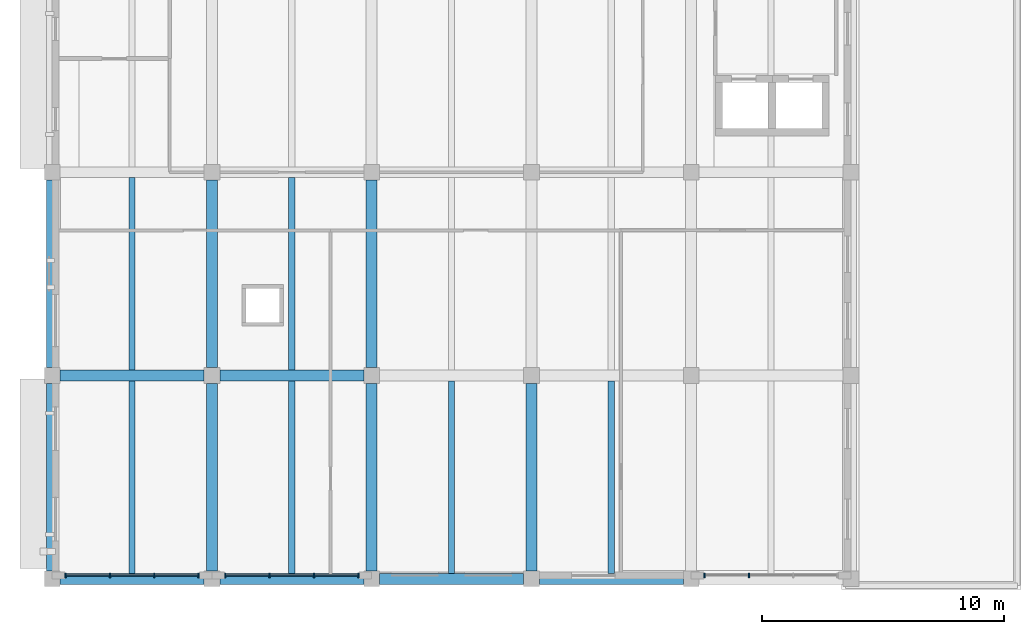
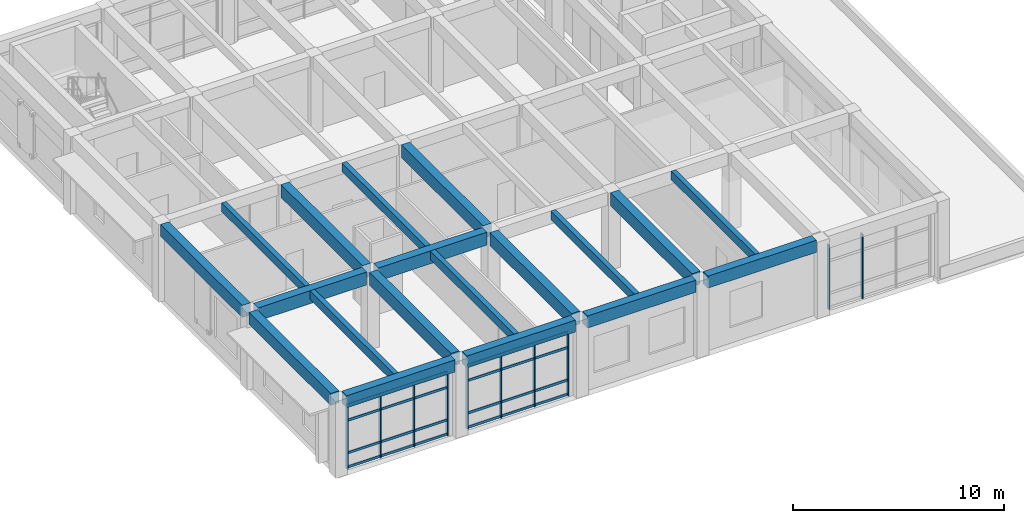
# One storey, part 2 of 50: 19 beams, 18 members, 3 elements without a shape of their own.
"""IFC4 building model written with IfcOpenShell, lengths in metres."""

from ifc_helpers import new_model, si_unit, direction, frame, origin, origin_2d, place, context, subcontext, project, spatial, rectangle, extrude, material, layer, layer_set, material_profile, profile_set, type_object, element, aggregate, save


model = new_model("IFC4")

# Units and contexts
model_context = context("Model", 3, precision=1e-05, world=origin(), true_north=direction((0.0, 1.0)))
body_context = subcontext(model_context, "Body", "Model", "MODEL_VIEW")
ifc_project = project(units=[si_unit("LENGTHUNIT", "METRE"), si_unit("AREAUNIT", "SQUARE_METRE"), si_unit("VOLUMEUNIT", "CUBIC_METRE"), si_unit("PLANEANGLEUNIT", "RADIAN"), si_unit("MASSUNIT", "GRAM", prefix="KILO")], contexts=[model_context])

# Site, building, storey
site_placement = place(None, origin())
site = spatial("IfcSite", under=ifc_project, at=site_placement, CompositionType="ELEMENT")
building_placement = place(site_placement, origin())
building = spatial("IfcBuilding", under=site, at=building_placement, Name="Kolvaren Faculty of Natural Sciences", CompositionType="ELEMENT")
storey_placement = place(building_placement, frame((0.0, 0.0, 15.0)))
storey = spatial("IfcBuildingStorey", under=building, at=storey_placement, Name="L03", CompositionType="ELEMENT", Elevation=15.0)

# Curtain wall, members
ifc_material_1 = material(Name="Thermally broken anodised aluminium framing", Category="aluminium")
ifc_layer = layer(ifc_material_1, 0.179931640625)
ifc_layer_set = layer_set([ifc_layer], Name="Thermally broken anodised aluminium framing")
curtain_wall_type = type_object("IfcCurtainWallType", Name="CommonsCurtainWall_CW02", PredefinedType="NOTDEFINED", material=ifc_layer_set)
curtain_wall_1_placement = place(storey_placement, origin())
curtain_wall_1 = element("IfcCurtainWall", 1, at=curtain_wall_1_placement, inside=storey, type_object=curtain_wall_type, Name="L03 unitised curtain wall CW-02 (CW-L03-138)", PredefinedType="NOTDEFINED")
ifc_material_profile_1 = material_profile(ifc_material_1, rectangle(XDim=0.06005859375, YDim=0.179931640625, at=origin_2d()), Name="ALU MUL 60x180")
ifc_profile_set_1 = profile_set([ifc_material_profile_1], Name="Thermally broken anodised aluminium framing")
member_type_1 = type_object("IfcMemberType", Name="CurtainMullion_60x180", PredefinedType="MULLION", material=ifc_profile_set_1)
member_1_placement = place(storey_placement, frame((35.583251953125, 8.739990234375, 0.0), z_axis=(0.0, 0.0, 1.0), x_axis=(-1.0, 0.0, 0.0)))
member_1 = element("IfcMember", 2, at=member_1_placement, type_object=member_type_1, Name="CW-L03-138 vertical mullion 3", PredefinedType="MULLION", context=body_context, shape_type="SweptSolid", body=[
    extrude(rectangle(XDim=0.06005859375, YDim=0.179931640625, at=origin_2d()), origin(), (0.0, 0.0, 1.0), 3.735107421875),
])
member_2_placement = place(storey_placement, frame((33.75, 8.739990234375, 0.0), z_axis=(0.0, 0.0, 1.0), x_axis=(-1.0, 0.0, 0.0)))
member_2 = element("IfcMember", 3, at=member_2_placement, type_object=member_type_1, Name="CW-L03-138 vertical mullion 4", PredefinedType="MULLION", context=body_context, shape_type="SweptSolid", body=[
    extrude(rectangle(XDim=0.06005859375, YDim=0.179931640625, at=origin_2d()), origin(), (0.0, 0.0, 1.0), 3.735107421875),
])
aggregate(curtain_wall_1, [member_1, member_2])

curtain_wall_2_placement = place(storey_placement, origin())
curtain_wall_2 = element("IfcCurtainWall", 4, at=curtain_wall_2_placement, inside=storey, type_object=curtain_wall_type, Name="L03 unitised curtain wall CW-02 (CW-L03-139)", PredefinedType="NOTDEFINED")
member_3_placement = place(storey_placement, frame((19.449951171875, 8.739990234375, 0.0), z_axis=(0.0, 0.0, 1.0), x_axis=(-1.0, 0.0, 0.0)))
member_3 = element("IfcMember", 5, at=member_3_placement, type_object=member_type_1, Name="CW-L03-139 vertical mullion 1", PredefinedType="MULLION", context=body_context, shape_type="SweptSolid", body=[
    extrude(rectangle(XDim=0.06005859375, YDim=0.179931640625, at=origin_2d()), origin(), (0.0, 0.0, 1.0), 3.735107421875),
])
member_4_placement = place(storey_placement, frame((17.61669921875, 8.739990234375, 0.0), z_axis=(0.0, 0.0, 1.0), x_axis=(-1.0, 0.0, 0.0)))
member_4 = element("IfcMember", 6, at=member_4_placement, type_object=member_type_1, Name="CW-L03-139 vertical mullion 2", PredefinedType="MULLION", context=body_context, shape_type="SweptSolid", body=[
    extrude(rectangle(XDim=0.06005859375, YDim=0.179931640625, at=origin_2d()), origin(), (0.0, 0.0, 1.0), 3.735107421875),
])
member_5_placement = place(storey_placement, frame((15.783203125, 8.739990234375, 0.0), z_axis=(0.0, 0.0, 1.0), x_axis=(-1.0, 0.0, 0.0)))
member_5 = element("IfcMember", 7, at=member_5_placement, type_object=member_type_1, Name="CW-L03-139 vertical mullion 3", PredefinedType="MULLION", context=body_context, shape_type="SweptSolid", body=[
    extrude(rectangle(XDim=0.06005859375, YDim=0.179931640625, at=origin_2d()), origin(), (0.0, 0.0, 1.0), 3.735107421875),
])
member_6_placement = place(storey_placement, frame((13.949951171875, 8.739990234375, 0.0), z_axis=(0.0, 0.0, 1.0), x_axis=(-1.0, 0.0, 0.0)))
member_6 = element("IfcMember", 8, at=member_6_placement, type_object=member_type_1, Name="CW-L03-139 vertical mullion 4", PredefinedType="MULLION", context=body_context, shape_type="SweptSolid", body=[
    extrude(rectangle(XDim=0.06005859375, YDim=0.179931640625, at=origin_2d()), origin(), (0.0, 0.0, 1.0), 3.735107421875),
])

curtain_wall_3_placement = place(storey_placement, origin())
curtain_wall_3 = element("IfcCurtainWall", 9, at=curtain_wall_3_placement, inside=storey, type_object=curtain_wall_type, Name="L03 unitised curtain wall CW-02 (CW-L03-140)", PredefinedType="NOTDEFINED")
member_7_placement = place(storey_placement, frame((12.85009765625, 8.739990234375, 0.0), z_axis=(0.0, 0.0, 1.0), x_axis=(-1.0, 0.0, 0.0)))
member_7 = element("IfcMember", 10, at=member_7_placement, type_object=member_type_1, Name="CW-L03-140 vertical mullion 1", PredefinedType="MULLION", context=body_context, shape_type="SweptSolid", body=[
    extrude(rectangle(XDim=0.06005859375, YDim=0.179931640625, at=origin_2d()), origin(), (0.0, 0.0, 1.0), 3.735107421875),
])
member_8_placement = place(storey_placement, frame((11.0166015625, 8.739990234375, 0.0), z_axis=(0.0, 0.0, 1.0), x_axis=(-1.0, 0.0, 0.0)))
member_8 = element("IfcMember", 11, at=member_8_placement, type_object=member_type_1, Name="CW-L03-140 vertical mullion 2", PredefinedType="MULLION", context=body_context, shape_type="SweptSolid", body=[
    extrude(rectangle(XDim=0.06005859375, YDim=0.179931640625, at=origin_2d()), origin(), (0.0, 0.0, 1.0), 3.735107421875),
])
member_9_placement = place(storey_placement, frame((9.183349609375, 8.739990234375, 0.0), z_axis=(0.0, 0.0, 1.0), x_axis=(-1.0, 0.0, 0.0)))
member_9 = element("IfcMember", 12, at=member_9_placement, type_object=member_type_1, Name="CW-L03-140 vertical mullion 3", PredefinedType="MULLION", context=body_context, shape_type="SweptSolid", body=[
    extrude(rectangle(XDim=0.06005859375, YDim=0.179931640625, at=origin_2d()), origin(), (0.0, 0.0, 1.0), 3.735107421875),
])
member_10_placement = place(storey_placement, frame((7.35009765625, 8.739990234375, 0.0), z_axis=(0.0, 0.0, 1.0), x_axis=(-1.0, 0.0, 0.0)))
member_10 = element("IfcMember", 13, at=member_10_placement, type_object=member_type_1, Name="CW-L03-140 vertical mullion 4", PredefinedType="MULLION", context=body_context, shape_type="SweptSolid", body=[
    extrude(rectangle(XDim=0.06005859375, YDim=0.179931640625, at=origin_2d()), origin(), (0.0, 0.0, 1.0), 3.735107421875),
])

# Member
ifc_material_profile_2 = material_profile(ifc_material_1, rectangle(XDim=0.06005859375, YDim=0.139892578125, at=origin_2d()), Name="ALU TRN 60x140")
ifc_profile_set_2 = profile_set([ifc_material_profile_2], Name="Thermally broken anodised aluminium framing")
member_type_2 = type_object("IfcMemberType", Name="CurtainTransom_60x140", PredefinedType="USERDEFINED", material=ifc_profile_set_2)
member_11_placement = place(storey_placement, frame((19.449951171875, 8.739990234375, 0.080078125), z_axis=(-1.0, 0.0, 0.0), x_axis=(0.0, -1.0, 0.0)))
member_11 = element("IfcMember", 14, at=member_11_placement, type_object=member_type_2, Name="CW-L03-139 horizontal transom 1", ObjectType="TRANSOM", PredefinedType="USERDEFINED", context=body_context, shape_type="SweptSolid", body=[
    extrude(rectangle(XDim=0.06005859375, YDim=0.139892578125, at=origin_2d()), origin(), (0.0, 0.0, 1.0), 5.5),
])

member_12_placement = place(storey_placement, frame((19.449951171875, 8.739990234375, 0.89990234375), z_axis=(-1.0, 0.0, 0.0), x_axis=(0.0, -1.0, 0.0)))
member_12 = element("IfcMember", 15, at=member_12_placement, type_object=member_type_2, Name="CW-L03-139 horizontal transom 2", ObjectType="TRANSOM", PredefinedType="USERDEFINED", context=body_context, shape_type="SweptSolid", body=[
    extrude(rectangle(XDim=0.06005859375, YDim=0.139892578125, at=origin_2d()), origin(), (0.0, 0.0, 1.0), 5.5),
])

member_13_placement = place(storey_placement, frame((19.449951171875, 8.739990234375, 2.784912109375), z_axis=(-1.0, 0.0, 0.0), x_axis=(0.0, -1.0, 0.0)))
member_13 = element("IfcMember", 16, at=member_13_placement, type_object=member_type_2, Name="CW-L03-139 horizontal transom 3", ObjectType="TRANSOM", PredefinedType="USERDEFINED", context=body_context, shape_type="SweptSolid", body=[
    extrude(rectangle(XDim=0.06005859375, YDim=0.139892578125, at=origin_2d()), origin(), (0.0, 0.0, 1.0), 5.5),
])

member_14_placement = place(storey_placement, frame((19.449951171875, 8.739990234375, 3.655029296875), z_axis=(-1.0, 0.0, 0.0), x_axis=(0.0, -1.0, 0.0)))
member_14 = element("IfcMember", 17, at=member_14_placement, type_object=member_type_2, Name="CW-L03-139 horizontal transom 4", ObjectType="TRANSOM", PredefinedType="USERDEFINED", context=body_context, shape_type="SweptSolid", body=[
    extrude(rectangle(XDim=0.06005859375, YDim=0.139892578125, at=origin_2d()), origin(), (0.0, 0.0, 1.0), 5.5),
])

aggregate(curtain_wall_2, [member_3, member_4, member_5, member_6, member_11, member_12, member_13, member_14])

member_15_placement = place(storey_placement, frame((12.85009765625, 8.739990234375, 0.080078125), z_axis=(-1.0, 0.0, 0.0), x_axis=(0.0, -1.0, 0.0)))
member_15 = element("IfcMember", 18, at=member_15_placement, type_object=member_type_2, Name="CW-L03-140 horizontal transom 1", ObjectType="TRANSOM", PredefinedType="USERDEFINED", context=body_context, shape_type="SweptSolid", body=[
    extrude(rectangle(XDim=0.06005859375, YDim=0.139892578125, at=origin_2d()), origin(), (0.0, 0.0, 1.0), 5.5),
])

member_16_placement = place(storey_placement, frame((12.85009765625, 8.739990234375, 0.89990234375), z_axis=(-1.0, 0.0, 0.0), x_axis=(0.0, -1.0, 0.0)))
member_16 = element("IfcMember", 19, at=member_16_placement, type_object=member_type_2, Name="CW-L03-140 horizontal transom 2", ObjectType="TRANSOM", PredefinedType="USERDEFINED", context=body_context, shape_type="SweptSolid", body=[
    extrude(rectangle(XDim=0.06005859375, YDim=0.139892578125, at=origin_2d()), origin(), (0.0, 0.0, 1.0), 5.5),
])

member_17_placement = place(storey_placement, frame((12.85009765625, 8.739990234375, 2.784912109375), z_axis=(-1.0, 0.0, 0.0), x_axis=(0.0, -1.0, 0.0)))
member_17 = element("IfcMember", 20, at=member_17_placement, type_object=member_type_2, Name="CW-L03-140 horizontal transom 3", ObjectType="TRANSOM", PredefinedType="USERDEFINED", context=body_context, shape_type="SweptSolid", body=[
    extrude(rectangle(XDim=0.06005859375, YDim=0.139892578125, at=origin_2d()), origin(), (0.0, 0.0, 1.0), 5.5),
])

member_18_placement = place(storey_placement, frame((12.85009765625, 8.739990234375, 3.655029296875), z_axis=(-1.0, 0.0, 0.0), x_axis=(0.0, -1.0, 0.0)))
member_18 = element("IfcMember", 21, at=member_18_placement, type_object=member_type_2, Name="CW-L03-140 horizontal transom 4", ObjectType="TRANSOM", PredefinedType="USERDEFINED", context=body_context, shape_type="SweptSolid", body=[
    extrude(rectangle(XDim=0.06005859375, YDim=0.139892578125, at=origin_2d()), origin(), (0.0, 0.0, 1.0), 5.5),
])

aggregate(curtain_wall_3, [member_7, member_8, member_9, member_10, member_15, member_16, member_17, member_18])

# Beams
ifc_material_2 = material(Name="Concrete C35/45", Category="concrete")
ifc_material_profile_3 = material_profile(ifc_material_2, rectangle(XDim=0.260009765625, YDim=0.5, at=origin_2d()), Name="RC JST 260x500")
ifc_profile_set_3 = profile_set([ifc_material_profile_3], Name="Concrete C35/45")
beam_type_1 = type_object("IfcBeamType", Name="LabRibJoist_260x500", PredefinedType="JOIST", material=ifc_profile_set_3)
for number, where, z_axis, x_axis, name in (
    (22, (10.10009765625, 8.824951171875, 4.25), (0.0, 1.0, 0.0), (-1.0, 0.0, 0.0), "L03 ribbed laboratory slab joist JS-50"),
    (23, (10.10009765625, 17.22509765625, 4.25), (0.0, 1.0, 0.0), (-1.0, 0.0, 0.0), "L03 ribbed laboratory slab joist JS-50"),
    (24, (16.699951171875, 8.824951171875, 4.25), (0.0, 1.0, 0.0), (-1.0, 0.0, 0.0), "L03 ribbed laboratory slab joist JS-50"),
    (25, (16.699951171875, 17.22509765625, 4.25), (0.0, 1.0, 0.0), (-1.0, 0.0, 0.0), "L03 ribbed laboratory slab joist JS-50"),
    (26, (23.300048828125, 8.824951171875, 4.25), (0.0, 1.0, 0.0), (-1.0, 0.0, 0.0), "L03 ribbed laboratory slab joist JS-50"),
    (27, (29.89990234375, 8.824951171875, 4.25), (0.0, 1.0, 0.0), (-1.0, 0.0, 0.0), "L03 ribbed laboratory slab joist JS-50"),
):
    element("IfcBeam", number, at=place(storey_placement, frame(where, z_axis=z_axis, x_axis=x_axis)), inside=storey, type_object=beam_type_1, Name=name, PredefinedType="JOIST", context=body_context, shape_type="SweptSolid", body=[
        extrude(rectangle(XDim=0.260009765625, YDim=0.5, at=origin_2d()), origin(), (0.0, 0.0, 1.0), 7.949951171875),
    ])
ifc_material_profile_4 = material_profile(ifc_material_2, rectangle(XDim=0.449951171875, YDim=0.699951171875, at=origin_2d()), Name="RC SP 450x700")
ifc_profile_set_4 = profile_set([ifc_material_profile_4], Name="Concrete C35/45")
beam_type_2 = type_object("IfcBeamType", Name="PerimeterSpandrel_450x700", PredefinedType="SPANDREL", material=ifc_profile_set_4)
for number, where, z_axis, x_axis, name in (
    (28, (7.125, 8.60009765625, 4.14990234375), (1.0, 0.0, 0.0), (0.0, 1.0, 0.0), "L03 spandrel SP-70 on grid B"),
    (29, (13.72509765625, 8.60009765625, 4.14990234375), (1.0, 0.0, 0.0), (0.0, 1.0, 0.0), "L03 spandrel SP-70 on grid B"),
    (30, (20.324951171875, 8.60009765625, 4.14990234375), (1.0, 0.0, 0.0), (0.0, 1.0, 0.0), "L03 spandrel SP-70 on grid B"),
    (31, (26.925048828125, 8.60009765625, 4.14990234375), (1.0, 0.0, 0.0), (0.0, 1.0, 0.0), "L03 spandrel SP-70 on grid B"),
):
    element("IfcBeam", number, at=place(storey_placement, frame(where, z_axis=z_axis, x_axis=x_axis)), inside=storey, type_object=beam_type_2, Name=name, PredefinedType="SPANDREL", context=body_context, shape_type="SweptSolid", body=[
        extrude(rectangle(XDim=0.449951171875, YDim=0.699951171875, at=origin_2d()), origin(), (0.0, 0.0, 1.0), 5.949951171875),
    ])
for number, where, z_axis, x_axis, name in (
    (32, (6.800048828125, 8.925048828125, 4.14990234375), (0.0, 1.0, 0.0), (-1.0, 0.0, 0.0), "L03 girder SP-70 on grid 2"),
    (33, (6.800048828125, 17.324951171875, 4.14990234375), (0.0, 1.0, 0.0), (-1.0, 0.0, 0.0), "L03 girder SP-70 on grid 2"),
):
    element("IfcBeam", number, at=place(storey_placement, frame(where, z_axis=z_axis, x_axis=x_axis)), inside=storey, type_object=beam_type_2, Name=name, PredefinedType="SPANDREL", context=body_context, shape_type="SweptSolid", body=[
        extrude(rectangle(XDim=0.449951171875, YDim=0.699951171875, at=origin_2d()), origin(), (0.0, 0.0, 1.0), 7.75),
    ])
ifc_material_profile_5 = material_profile(ifc_material_2, rectangle(XDim=0.449951171875, YDim=0.75, at=origin_2d()), Name="RC BM 450x750")
ifc_profile_set_5 = profile_set([ifc_material_profile_5], Name="Concrete C35/45")
beam_type_3 = type_object("IfcBeamType", Name="PrimaryGirder_450x750", PredefinedType="BEAM", material=ifc_profile_set_5)
for number, where, z_axis, x_axis, name in (
    (34, (7.125, 17.0, 4.125), (1.0, 0.0, 0.0), (0.0, 1.0, 0.0), "L03 beam BG-75 on grid C"),
    (35, (13.72509765625, 17.0, 4.125), (1.0, 0.0, 0.0), (0.0, 1.0, 0.0), "L03 beam BG-75 on grid C"),
):
    element("IfcBeam", number, at=place(storey_placement, frame(where, z_axis=z_axis, x_axis=x_axis)), inside=storey, type_object=beam_type_3, Name=name, PredefinedType="BEAM", context=body_context, shape_type="SweptSolid", body=[
        extrude(rectangle(XDim=0.449951171875, YDim=0.75, at=origin_2d()), origin(), (0.0, 0.0, 1.0), 5.949951171875),
    ])
for number, where, z_axis, x_axis, name in (
    (36, (13.39990234375, 8.925048828125, 4.125), (0.0, 1.0, 0.0), (-1.0, 0.0, 0.0), "L03 girder BG-75 on grid 3"),
    (37, (13.39990234375, 17.324951171875, 4.125), (0.0, 1.0, 0.0), (-1.0, 0.0, 0.0), "L03 girder BG-75 on grid 3"),
    (38, (20.0, 8.925048828125, 4.125), (0.0, 1.0, 0.0), (-1.0, 0.0, 0.0), "L03 girder BG-75 on grid 4"),
    (39, (20.0, 17.324951171875, 4.125), (0.0, 1.0, 0.0), (-1.0, 0.0, 0.0), "L03 girder BG-75 on grid 4"),
    (40, (26.60009765625, 8.925048828125, 4.125), (0.0, 1.0, 0.0), (-1.0, 0.0, 0.0), "L03 girder BG-75 on grid 5"),
):
    element("IfcBeam", number, at=place(storey_placement, frame(where, z_axis=z_axis, x_axis=x_axis)), inside=storey, type_object=beam_type_3, Name=name, PredefinedType="BEAM", context=body_context, shape_type="SweptSolid", body=[
        extrude(rectangle(XDim=0.449951171875, YDim=0.75, at=origin_2d()), origin(), (0.0, 0.0, 1.0), 7.75),
    ])

save(model, "model.ifc")
